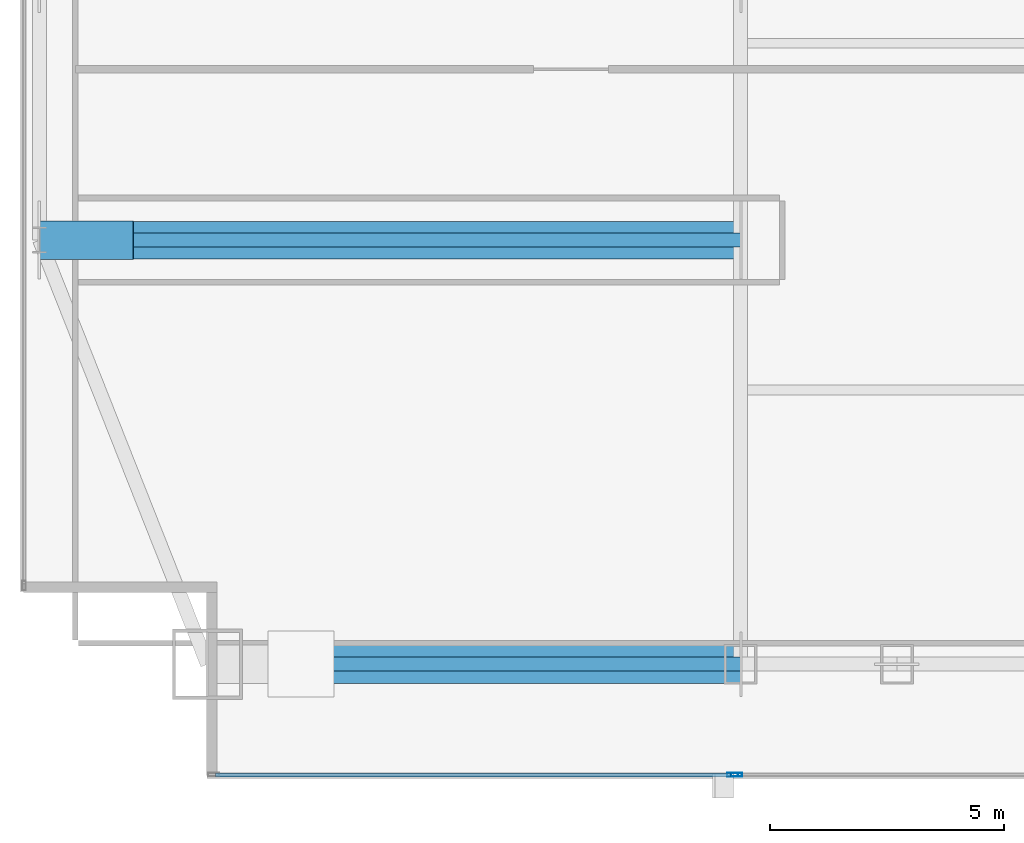
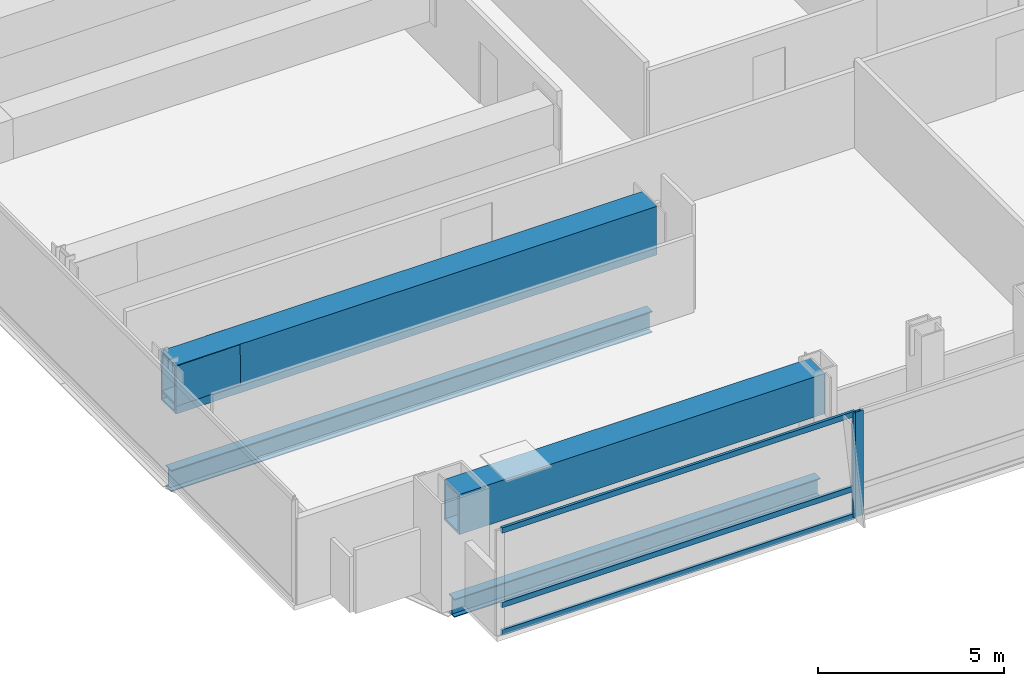
# One storey, part 6 of 30: 5 beams, 5 members, 2 elements without a shape of their own.
"""IFC4 building model written with IfcOpenShell, lengths in metres."""

from ifc_helpers import new_model, si_unit, direction, frame, origin, origin_2d, place, context, subcontext, project, spatial, hollow_rectangle, i_section, extrude, material, material_profile, profile_set, type_object, element, aggregate, save


model = new_model("IFC4")

# Units and contexts
model_context = context("Model", 3, precision=1e-05, world=origin(), true_north=direction((0.0, 1.0)))
body_context = subcontext(model_context, "Body", "Model", "MODEL_VIEW")
ifc_project = project(units=[si_unit("LENGTHUNIT", "METRE"), si_unit("AREAUNIT", "SQUARE_METRE"), si_unit("VOLUMEUNIT", "CUBIC_METRE"), si_unit("PLANEANGLEUNIT", "RADIAN"), si_unit("MASSUNIT", "GRAM", prefix="KILO")], contexts=[model_context])

# Site, building, storey
site_placement = place(None, origin())
site = spatial("IfcSite", under=ifc_project, at=site_placement, CompositionType="ELEMENT")
building_placement = place(site_placement, origin())
building = spatial("IfcBuilding", under=site, at=building_placement, Name="Khoronbel Lancet Exchange", CompositionType="ELEMENT")
storey_placement = place(building_placement, frame((0.0, 0.0, 132.60009765625)))
storey = spatial("IfcBuildingStorey", under=building, at=storey_placement, Name="L32", CompositionType="ELEMENT", Elevation=132.60009765625)

# Beams
ifc_material_1 = material(Name="Steel S355", Category="steel")
ifc_material_profile_1 = material_profile(ifc_material_1, i_section(OverallWidth=0.300048828125, OverallDepth=0.699951171875, WebThickness=0.01708984375, FlangeThickness=0.031982421875, at=origin_2d()), Name="HEB 700")
ifc_profile_set_1 = profile_set([ifc_material_profile_1], Name="Steel S355")
beam_type_1 = type_object("IfcBeamType", Name="BM-BG3", PredefinedType="BEAM", material=ifc_profile_set_1)
beam_1_placement = place(storey_placement, frame((3.27001953125, 19.199951171875, -0.510009765625), z_axis=(1.0, 0.0, 0.0), x_axis=(0.0, 1.0, 0.0)))
element("IfcBeam", 1, at=beam_1_placement, inside=storey, type_object=beam_type_1, Name="Level L32 west lens tie girder LG1W", PredefinedType="BEAM", context=body_context, shape_type="SweptSolid", body=[
    extrude(i_section(OverallWidth=0.300048828125, OverallDepth=0.699951171875, WebThickness=0.01708984375, FlangeThickness=0.031982421875, at=origin_2d()), origin(), (0.0, 0.0, 1.0), 14.955078125),
])
ifc_material_profile_2 = material_profile(ifc_material_1, i_section(OverallWidth=0.300048828125, OverallDepth=0.60009765625, WebThickness=0.015380859375, FlangeThickness=0.030029296875, at=origin_2d()), Name="HEB 600")
ifc_profile_set_2 = profile_set([ifc_material_profile_2], Name="Steel S355")
beam_type_2 = type_object("IfcBeamType", Name="BM-BSP2", PredefinedType="SPANDREL", material=ifc_profile_set_2)
beam_2_placement = place(storey_placement, frame((6.85009765625, 10.14990234375, -0.460205078125), z_axis=(1.0, 0.0, 0.0), x_axis=(0.0, 1.0, 0.0)))
element("IfcBeam", 2, at=beam_2_placement, inside=storey, type_object=beam_type_2, Name="Level L32 perimeter spandrel beam SP01", PredefinedType="SPANDREL", context=body_context, shape_type="SweptSolid", body=[
    extrude(i_section(OverallWidth=0.300048828125, OverallDepth=0.60009765625, WebThickness=0.015380859375, FlangeThickness=0.030029296875, at=origin_2d()), origin(), (0.0, 0.0, 1.0), 11.375),
])
ifc_material_2 = material(Name="Steel S460", Category="steel")
ifc_material_profile_3 = material_profile(ifc_material_2, hollow_rectangle(XDim=0.800048828125, YDim=1.60009765625, WallThickness=0.06494140625, at=origin_2d()), Name="BOX 800x1600x65")
ifc_profile_set_3 = profile_set([ifc_material_profile_3], Name="Steel S460")
beam_type_3 = type_object("IfcBeamType", Name="BM-TG2", PredefinedType="USERDEFINED", material=ifc_profile_set_3)
beam_3_placement = place(storey_placement, frame((3.27001953125, 19.199951171875, 2.639892578125), z_axis=(1.0, 0.0, 0.0), x_axis=(0.0, 1.0, 0.0)))
element("IfcBeam", 3, at=beam_3_placement, inside=storey, type_object=beam_type_3, Name="Lens setback S460 transfer girder L32-W1", ObjectType="TRANSFER GIRDER", PredefinedType="USERDEFINED", context=body_context, shape_type="SweptSolid", body=[
    extrude(hollow_rectangle(XDim=0.800048828125, YDim=1.60009765625, WallThickness=0.06494140625, at=origin_2d()), origin(), (0.0, 0.0, 1.0), 14.955078125),
])
ifc_material_profile_4 = material_profile(ifc_material_2, hollow_rectangle(XDim=0.820068359375, YDim=1.320068359375, WallThickness=0.070068359375, at=origin_2d()), Name="BOX 820x1320x70")
ifc_profile_set_4 = profile_set([ifc_material_profile_4], Name="Steel S460")
beam_type_4 = type_object("IfcBeamType", Name="BM-TG4", PredefinedType="USERDEFINED", material=ifc_profile_set_4)
beam_4_placement = place(storey_placement, frame((3.27001953125, 19.199951171875, 2.760009765625), z_axis=(0.999951120325, 0.0, 0.009887212005), x_axis=(0.0, 1.0, 0.0)))
element("IfcBeam", 4, at=beam_4_placement, inside=storey, type_object=beam_type_4, Name="Setback transfer knee-brace girder L32-WC-1", ObjectType="TRANSFER GIRDER", PredefinedType="USERDEFINED", context=body_context, shape_type="SweptSolid", body=[
    extrude(hollow_rectangle(XDim=0.820068359375, YDim=1.320068359375, WallThickness=0.070068359375, at=origin_2d()), origin(), (0.0, 0.0, 1.0), 2.0),
])
beam_5_placement = place(storey_placement, frame((6.85009765625, 10.14990234375, 2.77978515625), z_axis=(1.0, 0.0, 0.0), x_axis=(0.0, 1.0, 0.0)))
element("IfcBeam", 5, at=beam_5_placement, inside=storey, type_object=beam_type_4, Name="Corner mega-column setback transfer girder L32-SW", ObjectType="TRANSFER GIRDER", PredefinedType="USERDEFINED", context=body_context, shape_type="SweptSolid", body=[
    extrude(hollow_rectangle(XDim=0.820068359375, YDim=1.320068359375, WallThickness=0.070068359375, at=origin_2d()), origin(), (0.0, 0.0, 1.0), 11.375),
])

# Curtain wall, member
ifc_material_3 = material(Name="Low-E Solar Control Insulating Glass", Category="glass")
curtain_wall_type = type_object("IfcCurtainWallType", Name="CW-2", PredefinedType="NOTDEFINED", material=ifc_material_3)
curtain_wall_1_placement = place(storey_placement, origin())
curtain_wall_1 = element("IfcCurtainWall", 6, at=curtain_wall_1_placement, inside=storey, type_object=curtain_wall_type, Name="Unitised curtain wall CW-L32-SWV", PredefinedType="NOTDEFINED")
ifc_material_4 = material(Name="Bronze-Anodised Aluminium 6063-T6", Category="aluminium")
ifc_material_profile_5 = material_profile(ifc_material_4, hollow_rectangle(XDim=0.0849609375, YDim=0.239990234375, WallThickness=0.006103515625, at=origin_2d()), Name="ALU MULLION 85x240")
ifc_profile_set_5 = profile_set([ifc_material_profile_5], Name="Bronze-Anodised Aluminium 6063-T6")
member_type_1 = type_object("IfcMemberType", Name="MEM-CWM1", PredefinedType="MULLION", material=ifc_profile_set_5)
member_1_placement = place(storey_placement, frame((18.0576171875, 7.7900390625, 0.0), z_axis=(0.0, 0.0, 1.0), x_axis=(0.0, 1.0, 0.0)))
member_1 = element("IfcMember", 7, at=member_1_placement, type_object=member_type_1, Name="CW2 mullion 2", PredefinedType="MULLION", context=body_context, shape_type="SweptSolid", body=[
    extrude(hollow_rectangle(XDim=0.0849609375, YDim=0.239990234375, WallThickness=0.006103515625, at=origin_2d()), origin(), (0.0, 0.0, 1.0), 3.43994140625),
])

curtain_wall_2_placement = place(storey_placement, origin())
curtain_wall_2 = element("IfcCurtainWall", 8, at=curtain_wall_2_placement, inside=storey, type_object=curtain_wall_type, Name="Unitised curtain wall CW-L32-SWB", PredefinedType="NOTDEFINED")
member_2_placement = place(storey_placement, frame((18.142578125, 7.7900390625, 0.0), z_axis=(0.0, 0.0, 1.0), x_axis=(0.0, 1.0, 0.0)))
member_2 = element("IfcMember", 9, at=member_2_placement, type_object=member_type_1, Name="CW2 mullion 1", PredefinedType="MULLION", context=body_context, shape_type="SweptSolid", body=[
    extrude(hollow_rectangle(XDim=0.0849609375, YDim=0.239990234375, WallThickness=0.006103515625, at=origin_2d()), origin(), (0.0, 0.0, 1.0), 3.43994140625),
])
aggregate(curtain_wall_2, [member_2])

# Member
ifc_material_profile_6 = material_profile(ifc_material_4, hollow_rectangle(XDim=0.0849609375, YDim=0.179931640625, WallThickness=0.0048828125, at=origin_2d()), Name="ALU TRANSOM 85x180")
ifc_profile_set_6 = profile_set([ifc_material_profile_6], Name="Bronze-Anodised Aluminium 6063-T6")
member_type_2 = type_object("IfcMemberType", Name="MEM-CWT1", PredefinedType="USERDEFINED", material=ifc_profile_set_6)
member_3_placement = place(storey_placement, frame((7.02490234375, 7.7900390625, 0.04248046875), z_axis=(1.0, 0.0, 0.0), x_axis=(0.0, 1.0, 0.0)))
member_3 = element("IfcMember", 10, at=member_3_placement, type_object=member_type_2, Name="CW2 transom 1.1", ObjectType="TRANSOM", PredefinedType="USERDEFINED", context=body_context, shape_type="SweptSolid", body=[
    extrude(hollow_rectangle(XDim=0.0849609375, YDim=0.179931640625, WallThickness=0.0048828125, at=origin_2d()), origin(), (0.0, 0.0, 1.0), 10.989990234375),
])

member_4_placement = place(storey_placement, frame((7.02490234375, 7.7900390625, 0.949951171875), z_axis=(1.0, 0.0, 0.0), x_axis=(0.0, 1.0, 0.0)))
member_4 = element("IfcMember", 11, at=member_4_placement, type_object=member_type_2, Name="CW2 transom 1.2", ObjectType="TRANSOM", PredefinedType="USERDEFINED", context=body_context, shape_type="SweptSolid", body=[
    extrude(hollow_rectangle(XDim=0.0849609375, YDim=0.179931640625, WallThickness=0.0048828125, at=origin_2d()), origin(), (0.0, 0.0, 1.0), 10.989990234375),
])

member_5_placement = place(storey_placement, frame((7.02490234375, 7.7900390625, 3.3974609375), z_axis=(1.0, 0.0, 0.0), x_axis=(0.0, 1.0, 0.0)))
member_5 = element("IfcMember", 12, at=member_5_placement, type_object=member_type_2, Name="CW2 transom 1.3", ObjectType="TRANSOM", PredefinedType="USERDEFINED", context=body_context, shape_type="SweptSolid", body=[
    extrude(hollow_rectangle(XDim=0.0849609375, YDim=0.179931640625, WallThickness=0.0048828125, at=origin_2d()), origin(), (0.0, 0.0, 1.0), 10.989990234375),
])

aggregate(curtain_wall_1, [member_1, member_3, member_4, member_5])

save(model, "model.ifc")
